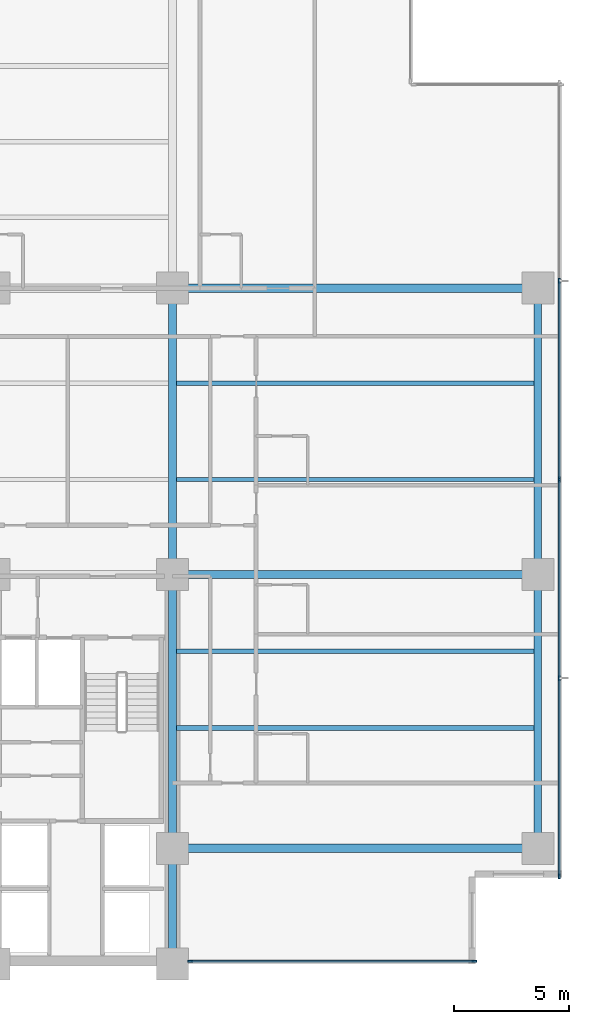
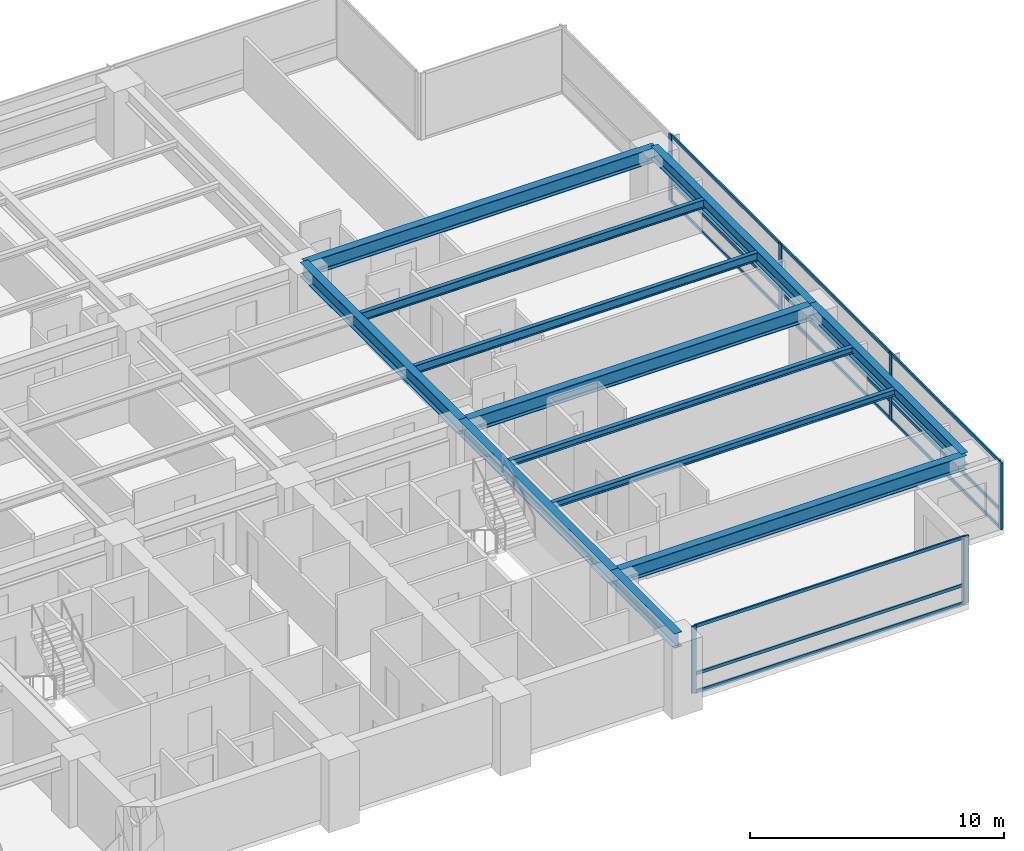
# One storey, part 3 of 17: 18 members, 12 beams, 2 elements without a shape of their own.
"""IFC4 building model written with IfcOpenShell, lengths in metres."""

import ifcopenshell
import ifcopenshell.guid

model = None  # the IFC model being written
_history = None  # IfcOwnerHistory: only IFC2X3 demands one
_inside = {}  # id of a spatial element -> (the spatial element, [elements in it])
_under = {}  # id of a project, library or spatial element -> (it, [spatial elements below it])
_declared = {}  # id of a project -> (the project, [libraries it declares])
_typed = {}  # id of a type object -> (the type object, [elements of that type])
_made_of = {}  # id of a material, layer set ... -> (it, [elements and type objects made of it])


def new_model(schema):
    """Start an empty IFC model of exactly this schema.

    Asked for "IFC4X3", IfcOpenShell would pick the latest addendum, in which some entities
    have other attributes; the version numbers below select the first issue.
    IFC2X3 requires an IfcOwnerHistory on every rooted entity: one is made here for all.
    """
    global model, _history
    if schema == "IFC4X3":
        model = ifcopenshell.file(schema_version=(4, 3, 0, 0))
    else:
        model = ifcopenshell.file(schema=schema)
    _inside.clear()
    _under.clear()
    _declared.clear()
    _typed.clear()
    _made_of.clear()
    _history = None
    if model.schema == "IFC2X3":
        org = make("IfcOrganization", Name="unknown")
        user = make(
            "IfcPersonAndOrganization",
            ThePerson=make("IfcPerson", FamilyName="unknown"),
            TheOrganization=org,
        )
        app = make(
            "IfcApplication",
            ApplicationDeveloper=org,
            Version="unknown",
            ApplicationFullName="unknown",
            ApplicationIdentifier="unknown",
        )
        _history = make(
            "IfcOwnerHistory",
            OwningUser=user,
            OwningApplication=app,
            ChangeAction="ADDED",
            CreationDate=0,
        )
    return model


def make(cls, **values):
    """One entity of the class cls with the attributes given. An attribute that is None is left unset."""
    return model.create_entity(
        cls, **{name: value for name, value in values.items() if value is not None}
    )


def rooted(cls, **values):
    """An entity with a GlobalId (a new one), such as an element, a storey or a relation."""
    return make(cls, GlobalId=ifcopenshell.guid.new(), OwnerHistory=_history, **values)


def si_unit(unit_type, name, prefix=None):
    """IfcSIUnit, for example si_unit("LENGTHUNIT", "METRE", prefix="MILLI")."""
    return make("IfcSIUnit", UnitType=unit_type, Prefix=prefix, Name=name)


def assignment(units):
    """IfcUnitAssignment: the units of a project."""
    return None if units is None else make("IfcUnitAssignment", Units=units)


def point(xyz):
    """IfcCartesianPoint."""
    return None if xyz is None else make("IfcCartesianPoint", Coordinates=xyz)


def direction(xyz):
    """IfcDirection."""
    return None if xyz is None else make("IfcDirection", DirectionRatios=xyz)


def frame(location, z_axis=None, x_axis=None):
    """IfcAxis2Placement3D, a coordinate frame: its origin and axes. An axis left out is left unset."""
    return make(
        "IfcAxis2Placement3D",
        Location=point(location),
        Axis=direction(z_axis),
        RefDirection=direction(x_axis),
    )


def frame_2d(location, x_axis=None):
    """IfcAxis2Placement2D, a coordinate frame in the plane: its origin and x axis."""
    return make(
        "IfcAxis2Placement2D", Location=point(location), RefDirection=direction(x_axis)
    )


def origin():
    """The frame at (0, 0, 0) with its axes left unset."""
    return frame((0.0, 0.0, 0.0))


def origin_2d():
    """The frame at (0, 0) in the plane with its x axis left unset."""
    return frame_2d((0.0, 0.0))


def place(relative_to, where):
    """IfcLocalPlacement: puts the frame where relative to a parent placement (None: the world)."""
    return make(
        "IfcLocalPlacement", PlacementRelTo=relative_to, RelativePlacement=where
    )


def context(
    kind, dimensions, precision=None, world=None, true_north=None, identifier=None
):
    """IfcGeometricRepresentationContext, for example the 3D "Model" context."""
    return make(
        "IfcGeometricRepresentationContext",
        ContextIdentifier=identifier,
        ContextType=kind,
        CoordinateSpaceDimension=dimensions,
        Precision=precision,
        WorldCoordinateSystem=world,
        TrueNorth=true_north,
    )


def subcontext(parent, identifier, kind, view, scale=None):
    """IfcGeometricRepresentationSubContext, for example "Body" below "Model"."""
    return make(
        "IfcGeometricRepresentationSubContext",
        ContextIdentifier=identifier,
        ContextType=kind,
        ParentContext=parent,
        TargetScale=scale,
        TargetView=view,
    )


def project(units=None, contexts=None):
    """IfcProject with its units and contexts."""
    return rooted(
        "IfcProject",
        Name="project",
        RepresentationContexts=contexts,
        UnitsInContext=assignment(units),
    )


def spatial(cls, under=None, at=None, **own):
    """A site, building, storey or space (cls), placed at a placement, below another one or the project."""
    s = rooted(cls, ObjectPlacement=at, **own)
    if under is not None:
        _under.setdefault(under.id(), (under, []))[1].append(s)
    return s


def profile(cls, at=None, kind="AREA", **sizes):
    """A parametric profile (cls). Its sizes go by their IFC names, for example OverallWidth=200.0."""
    return make(cls, ProfileType=kind, Position=at, **sizes)


def rectangle(**sizes):
    """IfcRectangleProfileDef."""
    return profile("IfcRectangleProfileDef", **sizes)


def i_section(**sizes):
    """IfcIShapeProfileDef."""
    return profile("IfcIShapeProfileDef", **sizes)


def extrude(swept, where, along, depth):
    """IfcExtrudedAreaSolid: the profile swept, set in the frame where, extruded along a direction by depth."""
    return make(
        "IfcExtrudedAreaSolid",
        SweptArea=swept,
        Position=where,
        ExtrudedDirection=direction(along),
        Depth=depth,
    )


def shape(context_of_items, identifier, shape_type, items):
    """IfcShapeRepresentation: the items that make up one representation, for example the "Body"."""
    return make(
        "IfcShapeRepresentation",
        ContextOfItems=context_of_items,
        RepresentationIdentifier=identifier,
        RepresentationType=shape_type,
        Items=items,
    )


def material(Name=None, Category=None):
    """IfcMaterial."""
    return make("IfcMaterial", Name=Name, Category=Category)


def layer(
    of_material, thickness, ventilated=None, Name=None, Category=None, Priority=None
):
    """IfcMaterialLayer: one layer of a wall or slab, of a material (None: an air gap)."""
    return make(
        "IfcMaterialLayer",
        Material=of_material,
        LayerThickness=thickness,
        IsVentilated=ventilated,
        Name=Name,
        Category=Category,
        Priority=Priority,
    )


def layer_set(layers, Name=None):
    """IfcMaterialLayerSet."""
    return make("IfcMaterialLayerSet", MaterialLayers=layers, LayerSetName=Name)


def material_profile(
    of_material, cross_section, Name=None, Category=None, Priority=None
):
    """IfcMaterialProfile: a cross section and its material."""
    return make(
        "IfcMaterialProfile",
        Name=Name,
        Material=of_material,
        Profile=cross_section,
        Priority=Priority,
        Category=Category,
    )


def profile_set(profiles, Name=None, composite=None):
    """IfcMaterialProfileSet."""
    return make(
        "IfcMaterialProfileSet",
        Name=Name,
        MaterialProfiles=profiles,
        CompositeProfile=composite,
    )


def made_of(thing, what):
    """Note that an element or type object is made of a material, layer set ...; save() writes the relation."""
    if what is not None:
        _made_of.setdefault(what.id(), (what, []))[1].append(thing)
    return thing


def type_object(cls, material=None, **own):
    """A type object (cls), such as IfcWallType, which elements share."""
    return made_of(rooted(cls, **own), material)


def element(
    cls,
    number,
    at=None,
    inside=None,
    cuts=None,
    type_object=None,
    material=None,
    context=None,
    identifier="Body",
    shape_type=None,
    held_by="IfcProductDefinitionShape",
    body=None,
    shapes=None,
    **own,
):
    """One element of the class cls, such as IfcWall. Its Tag is "e" and its number.

    at: its placement. inside: the storey or other place that contains it. cuts: it is an
    opening in that element (IfcRelVoidsElement). A single representation is given by context,
    identifier, shape_type and body (its items); several are given by shapes. held_by: the class
    of the entity that holds the representations. save() writes the other relations.
    """
    e = rooted(cls, Tag="e%d" % number, ObjectPlacement=at, **own)
    if body is not None:
        shapes = [shape(context, identifier, shape_type, body)]
    if shapes is not None:
        e.Representation = make(held_by, Representations=shapes)
    if inside is not None:
        _inside.setdefault(inside.id(), (inside, []))[1].append(e)
    if cuts is not None:
        rooted(
            "IfcRelVoidsElement", RelatingBuildingElement=cuts, RelatedOpeningElement=e
        )
    if type_object is not None:
        _typed.setdefault(type_object.id(), (type_object, []))[1].append(e)
    return made_of(e, material)


def aggregate(whole, parts):
    """IfcRelAggregates: a whole, such as a stair, and the parts it consists of."""
    return rooted("IfcRelAggregates", RelatingObject=whole, RelatedObjects=parts)


def save(model, path):
    """Write the relations noted so far, then the file.

    IfcRelAggregates (storeys below a building ...), IfcRelContainedInSpatialStructure (elements
    in a storey), IfcRelDefinesByType, IfcRelAssociatesMaterial and IfcRelDeclares: one each for
    every whole, place, type object, material and project.
    """
    for whole, parts in _under.values():
        aggregate(whole, parts)
    for where, things in _inside.values():
        rooted(
            "IfcRelContainedInSpatialStructure",
            RelatedElements=things,
            RelatingStructure=where,
        )
    for kind, things in _typed.values():
        rooted("IfcRelDefinesByType", RelatedObjects=things, RelatingType=kind)
    for what, things in _made_of.values():
        rooted("IfcRelAssociatesMaterial", RelatedObjects=things, RelatingMaterial=what)
    for by, libraries in _declared.values():
        rooted("IfcRelDeclares", RelatingContext=by, RelatedDefinitions=libraries)
    model.write(path)


model = new_model("IFC4")

# Units and contexts
model_context = context("Model", 3, precision=1e-05, world=origin(), true_north=direction((0.0, 1.0)))
body_context = subcontext(model_context, "Body", "Model", "MODEL_VIEW")
ifc_project = project(units=[si_unit("LENGTHUNIT", "METRE"), si_unit("AREAUNIT", "SQUARE_METRE"), si_unit("VOLUMEUNIT", "CUBIC_METRE"), si_unit("PLANEANGLEUNIT", "RADIAN"), si_unit("MASSUNIT", "GRAM", prefix="KILO")], contexts=[model_context])

# Site, building, storey
site_placement = place(None, origin())
site = spatial("IfcSite", under=ifc_project, at=site_placement, CompositionType="ELEMENT")
building_placement = place(site_placement, origin())
building = spatial("IfcBuilding", under=site, at=building_placement, Name="Qalmaran Belvedere Hotel", CompositionType="ELEMENT")
storey_placement = place(building_placement, frame((0.0, 0.0, 47.39990234375)))
storey = spatial("IfcBuildingStorey", under=building, at=storey_placement, Name="L11", CompositionType="ELEMENT", Elevation=47.39990234375)

# Beams
ifc_material_1 = material(Name="Steel S355JR", Category="steel")
ifc_material_profile_1 = material_profile(ifc_material_1, i_section(OverallWidth=0.202880859375, OverallDepth=0.302978515625, WebThickness=0.007568359375, FlangeThickness=0.01318359375, FilletRadius=0.012939453125, at=origin_2d()), Name="W310X60")
ifc_profile_set_1 = profile_set([ifc_material_profile_1], Name="Steel S355JR")
beam_type_1 = type_object("IfcBeamType", Name="BM-JST-W310X60", PredefinedType="JOIST", material=ifc_profile_set_1)
for number, where, z_axis, x_axis, name in (
    (1, (44.9755859375, 13.800048828125, 3.068603515625), (1.0, 0.0, 0.0), (0.0, 1.0, 0.0), "L11 East Wing Joist 039"),
    (2, (44.9755859375, 17.14990234375, 3.068603515625), (1.0, 0.0, 0.0), (0.0, 1.0, 0.0), "L11 East Wing Joist 041"),
):
    element("IfcBeam", number, at=place(storey_placement, frame(where, z_axis=z_axis, x_axis=x_axis)), inside=storey, type_object=beam_type_1, Name=name, PredefinedType="JOIST", context=body_context, shape_type="SweptSolid", body=[
        extrude(i_section(OverallWidth=0.202880859375, OverallDepth=0.302978515625, WebThickness=0.007568359375, FlangeThickness=0.01318359375, FilletRadius=0.012939453125, at=origin_2d()), origin(), (0.0, 0.0, 1.0), 15.61279296875),
    ])
ifc_material_profile_2 = material_profile(ifc_material_1, i_section(OverallWidth=0.180908203125, OverallDepth=0.4169921875, WebThickness=0.010986328125, FlangeThickness=0.018310546875, FilletRadius=0.014892578125, at=origin_2d()), Name="W410X85")
ifc_profile_set_2 = profile_set([ifc_material_profile_2], Name="Steel S355JR")
beam_type_2 = type_object("IfcBeamType", Name="BM-SB1-W410X85", PredefinedType="BEAM", material=ifc_profile_set_2)
for number, where, z_axis, x_axis, name in (
    (3, (44.9755859375, 24.64990234375, 3.01171875), (1.0, 0.0, 0.0), (0.0, 1.0, 0.0), "L11 East Secondary Beam 032"),
    (4, (44.9755859375, 28.85009765625, 3.01171875), (1.0, 0.0, 0.0), (0.0, 1.0, 0.0), "L11 East Secondary Beam 037"),
):
    element("IfcBeam", number, at=place(storey_placement, frame(where, z_axis=z_axis, x_axis=x_axis)), inside=storey, type_object=beam_type_2, Name=name, PredefinedType="BEAM", context=body_context, shape_type="SweptSolid", body=[
        extrude(i_section(OverallWidth=0.180908203125, OverallDepth=0.4169921875, WebThickness=0.010986328125, FlangeThickness=0.018310546875, FilletRadius=0.014892578125, at=origin_2d()), origin(), (0.0, 0.0, 1.0), 15.61279296875),
    ])
ifc_material_profile_3 = material_profile(ifc_material_1, i_section(OverallWidth=0.326904296875, OverallDepth=0.6220703125, WebThickness=0.015380859375, FlangeThickness=0.0244140625, FilletRadius=0.02001953125, at=origin_2d()), Name="W610X195")
ifc_profile_set_3 = profile_set([ifc_material_profile_3], Name="Steel S355JR")
beam_type_3 = type_object("IfcBeamType", Name="BM-SP1-W610X195", PredefinedType="SPANDREL", material=ifc_profile_set_3)
beam_1_placement = place(storey_placement, frame((60.75, 8.550048828125, 2.9091796875), z_axis=(0.0, 1.0, 0.0), x_axis=(-1.0, 0.0, 0.0)))
element("IfcBeam", 5, at=beam_1_placement, inside=storey, type_object=beam_type_3, Name="L11 Perimeter Spandrel 03", PredefinedType="SPANDREL", context=body_context, shape_type="SweptSolid", body=[
    extrude(i_section(OverallWidth=0.326904296875, OverallDepth=0.6220703125, WebThickness=0.015380859375, FlangeThickness=0.0244140625, FilletRadius=0.02001953125, at=origin_2d()), origin(), (0.0, 0.0, 1.0), 11.949951171875),
])
beam_2_placement = place(storey_placement, frame((60.75, 20.5, 2.9091796875), z_axis=(0.0, 1.0, 0.0), x_axis=(-1.0, 0.0, 0.0)))
element("IfcBeam", 6, at=beam_2_placement, inside=storey, type_object=beam_type_3, Name="L11 Perimeter Spandrel 04", PredefinedType="SPANDREL", context=body_context, shape_type="SweptSolid", body=[
    extrude(i_section(OverallWidth=0.326904296875, OverallDepth=0.6220703125, WebThickness=0.015380859375, FlangeThickness=0.0244140625, FilletRadius=0.02001953125, at=origin_2d()), origin(), (0.0, 0.0, 1.0), 12.5),
])
ifc_material_profile_4 = material_profile(ifc_material_1, i_section(OverallWidth=0.35498046875, OverallDepth=0.695068359375, WebThickness=0.015380859375, FlangeThickness=0.02490234375, FilletRadius=0.02197265625, at=origin_2d()), Name="W690X217")
ifc_profile_set_4 = profile_set([ifc_material_profile_4], Name="Steel S355JR")
beam_type_4 = type_object("IfcBeamType", Name="BM-Z1-W690X217", PredefinedType="USERDEFINED", material=ifc_profile_set_4)
beam_3_placement = place(storey_placement, frame((44.800048828125, 20.5, 2.87255859375), z_axis=(0.0, 1.0, 0.0), x_axis=(-1.0, 0.0, 0.0)))
element("IfcBeam", 7, at=beam_3_placement, inside=storey, type_object=beam_type_4, Name="L11 Mid-Plate N-S Girder 20", ObjectType="GIRDER", PredefinedType="USERDEFINED", context=body_context, shape_type="SweptSolid", body=[
    extrude(i_section(OverallWidth=0.35498046875, OverallDepth=0.695068359375, WebThickness=0.015380859375, FlangeThickness=0.02490234375, FilletRadius=0.02197265625, at=origin_2d()), origin(), (0.0, 0.0, 1.0), 12.5),
])
beam_4_placement = place(storey_placement, frame((44.800048828125, 3.5, 2.87255859375), z_axis=(0.0, 1.0, 0.0), x_axis=(-1.0, 0.0, 0.0)))
element("IfcBeam", 8, at=beam_4_placement, inside=storey, type_object=beam_type_4, Name="L11 East Core Edge Girder A", ObjectType="GIRDER", PredefinedType="USERDEFINED", context=body_context, shape_type="SweptSolid", body=[
    extrude(i_section(OverallWidth=0.35498046875, OverallDepth=0.695068359375, WebThickness=0.015380859375, FlangeThickness=0.02490234375, FilletRadius=0.02197265625, at=origin_2d()), origin(), (0.0, 0.0, 1.0), 5.050048828125),
])
beam_5_placement = place(storey_placement, frame((44.800048828125, 8.550048828125, 2.87255859375), z_axis=(0.0, 1.0, 0.0), x_axis=(-1.0, 0.0, 0.0)))
element("IfcBeam", 9, at=beam_5_placement, inside=storey, type_object=beam_type_4, Name="L11 East Core Edge Girder B", ObjectType="GIRDER", PredefinedType="USERDEFINED", context=body_context, shape_type="SweptSolid", body=[
    extrude(i_section(OverallWidth=0.35498046875, OverallDepth=0.695068359375, WebThickness=0.015380859375, FlangeThickness=0.02490234375, FilletRadius=0.02197265625, at=origin_2d()), origin(), (0.0, 0.0, 1.0), 11.949951171875),
])
for number, where, z_axis, x_axis, name in (
    (10, (44.800048828125, 8.550048828125, 2.87255859375), (1.0, 0.0, 0.0), (0.0, 1.0, 0.0), "L11 East Wing Girder 25"),
    (11, (44.800048828125, 20.5, 2.87255859375), (1.0, 0.0, 0.0), (0.0, 1.0, 0.0), "L11 East Wing Girder 26"),
    (12, (44.800048828125, 33.0, 2.87255859375), (1.0, 0.0, 0.0), (0.0, 1.0, 0.0), "L11 East Wing Girder 27"),
):
    element("IfcBeam", number, at=place(storey_placement, frame(where, z_axis=z_axis, x_axis=x_axis)), inside=storey, type_object=beam_type_4, Name=name, ObjectType="GIRDER", PredefinedType="USERDEFINED", context=body_context, shape_type="SweptSolid", body=[
        extrude(i_section(OverallWidth=0.35498046875, OverallDepth=0.695068359375, WebThickness=0.015380859375, FlangeThickness=0.02490234375, FilletRadius=0.02197265625, at=origin_2d()), origin(), (0.0, 0.0, 1.0), 15.949951171875),
    ])

# Curtain wall, members
ifc_material_2 = material(Name="Anodised Bronze Aluminium", Category="aluminium")
ifc_layer = layer(ifc_material_2, 0.2099609375, Name="Anodised Bronze Aluminium")
ifc_layer_set = layer_set([ifc_layer], Name="Anodised Bronze Aluminium")
curtain_wall_type = type_object("IfcCurtainWallType", Name="CW2-TOWER-LOWER", PredefinedType="NOTDEFINED", material=ifc_layer_set)
curtain_wall_1_placement = place(storey_placement, origin())
curtain_wall_1 = element("IfcCurtainWall", 13, at=curtain_wall_1_placement, inside=storey, type_object=curtain_wall_type, Name="L11 Curtain Wall CW2", PredefinedType="NOTDEFINED")
ifc_material_profile_5 = material_profile(ifc_material_2, rectangle(XDim=0.074951171875, YDim=0.219970703125, at=origin_2d()), Name="CWM75X220")
ifc_profile_set_5 = profile_set([ifc_material_profile_5], Name="Anodised Bronze Aluminium")
member_type_1 = type_object("IfcMemberType", Name="CWM-75X220", PredefinedType="MULLION", material=ifc_profile_set_5)
member_1_placement = place(storey_placement, frame((45.577392578125, 3.6201171875, 0.0), z_axis=(0.0, 0.0, 1.0), x_axis=(0.0, 1.0, 0.0)))
member_1 = element("IfcMember", 14, at=member_1_placement, type_object=member_type_1, Name="CW2 mullion 1", PredefinedType="MULLION", context=body_context, shape_type="SweptSolid", body=[
    extrude(rectangle(XDim=0.074951171875, YDim=0.219970703125, at=origin_2d()), origin(), (0.0, 0.0, 1.0), 3.22021484375),
])
member_2_placement = place(storey_placement, frame((57.96240234375, 3.6201171875, 0.0), z_axis=(0.0, 0.0, 1.0), x_axis=(0.0, 1.0, 0.0)))
member_2 = element("IfcMember", 15, at=member_2_placement, type_object=member_type_1, Name="CW2 mullion 2", PredefinedType="MULLION", context=body_context, shape_type="SweptSolid", body=[
    extrude(rectangle(XDim=0.074951171875, YDim=0.219970703125, at=origin_2d()), origin(), (0.0, 0.0, 1.0), 3.22021484375),
])

curtain_wall_2_placement = place(storey_placement, origin())
curtain_wall_2 = element("IfcCurtainWall", 16, at=curtain_wall_2_placement, inside=storey, type_object=curtain_wall_type, Name="L11 Curtain Wall CW2", PredefinedType="NOTDEFINED")
member_3_placement = place(storey_placement, frame((61.679931640625, 7.33740234375, 0.0), z_axis=(0.0, 0.0, 1.0), x_axis=(-1.0, 0.0, 0.0)))
member_3 = element("IfcMember", 17, at=member_3_placement, type_object=member_type_1, Name="CW2 mullion 1", PredefinedType="MULLION", context=body_context, shape_type="SweptSolid", body=[
    extrude(rectangle(XDim=0.074951171875, YDim=0.219970703125, at=origin_2d()), origin(), (0.0, 0.0, 1.0), 3.22021484375),
])
member_4_placement = place(storey_placement, frame((61.679931640625, 15.97509765625, 0.0), z_axis=(0.0, 0.0, 1.0), x_axis=(-1.0, 0.0, 0.0)))
member_4 = element("IfcMember", 18, at=member_4_placement, type_object=member_type_1, Name="CW2 mullion 2", PredefinedType="MULLION", context=body_context, shape_type="SweptSolid", body=[
    extrude(rectangle(XDim=0.074951171875, YDim=0.219970703125, at=origin_2d()), origin(), (0.0, 0.0, 1.0), 3.22021484375),
])
member_5_placement = place(storey_placement, frame((61.679931640625, 24.64990234375, 0.0), z_axis=(0.0, 0.0, 1.0), x_axis=(-1.0, 0.0, 0.0)))
member_5 = element("IfcMember", 19, at=member_5_placement, type_object=member_type_1, Name="CW2 mullion 3", PredefinedType="MULLION", context=body_context, shape_type="SweptSolid", body=[
    extrude(rectangle(XDim=0.074951171875, YDim=0.219970703125, at=origin_2d()), origin(), (0.0, 0.0, 1.0), 3.22021484375),
])
member_6_placement = place(storey_placement, frame((61.679931640625, 33.324951171875, 0.0), z_axis=(0.0, 0.0, 1.0), x_axis=(-1.0, 0.0, 0.0)))
member_6 = element("IfcMember", 20, at=member_6_placement, type_object=member_type_1, Name="CW2 mullion 4", PredefinedType="MULLION", context=body_context, shape_type="SweptSolid", body=[
    extrude(rectangle(XDim=0.074951171875, YDim=0.219970703125, at=origin_2d()), origin(), (0.0, 0.0, 1.0), 3.22021484375),
])

# Member
ifc_material_profile_6 = material_profile(ifc_material_2, rectangle(XDim=0.070068359375, YDim=0.14990234375, at=origin_2d()), Name="CWT70X150")
ifc_profile_set_6 = profile_set([ifc_material_profile_6], Name="Anodised Bronze Aluminium")
member_type_2 = type_object("IfcMemberType", Name="CWT-70X150", PredefinedType="USERDEFINED", material=ifc_profile_set_6)
member_7_placement = place(storey_placement, frame((45.614990234375, 3.6201171875, 0.03515625), z_axis=(1.0, 0.0, 0.0), x_axis=(0.0, 1.0, 0.0)))
member_7 = element("IfcMember", 21, at=member_7_placement, type_object=member_type_2, Name="CW2 transom 1.1", ObjectType="TRANSOM", PredefinedType="USERDEFINED", context=body_context, shape_type="SweptSolid", body=[
    extrude(rectangle(XDim=0.070068359375, YDim=0.14990234375, at=origin_2d()), origin(), (0.0, 0.0, 1.0), 12.31005859375),
])

member_8_placement = place(storey_placement, frame((45.614990234375, 3.6201171875, 0.901611328125), z_axis=(1.0, 0.0, 0.0), x_axis=(0.0, 1.0, 0.0)))
member_8 = element("IfcMember", 22, at=member_8_placement, type_object=member_type_2, Name="CW2 transom 1.2", ObjectType="TRANSOM", PredefinedType="USERDEFINED", context=body_context, shape_type="SweptSolid", body=[
    extrude(rectangle(XDim=0.070068359375, YDim=0.14990234375, at=origin_2d()), origin(), (0.0, 0.0, 1.0), 12.31005859375),
])

member_9_placement = place(storey_placement, frame((45.614990234375, 3.6201171875, 3.18505859375), z_axis=(1.0, 0.0, 0.0), x_axis=(0.0, 1.0, 0.0)))
member_9 = element("IfcMember", 23, at=member_9_placement, type_object=member_type_2, Name="CW2 transom 1.3", ObjectType="TRANSOM", PredefinedType="USERDEFINED", context=body_context, shape_type="SweptSolid", body=[
    extrude(rectangle(XDim=0.070068359375, YDim=0.14990234375, at=origin_2d()), origin(), (0.0, 0.0, 1.0), 12.31005859375),
])

aggregate(curtain_wall_1, [member_1, member_2, member_7, member_8, member_9])

member_10_placement = place(storey_placement, frame((61.679931640625, 7.375, 0.03515625), z_axis=(0.0, 1.0, 0.0), x_axis=(-1.0, 0.0, 0.0)))
member_10 = element("IfcMember", 24, at=member_10_placement, type_object=member_type_2, Name="CW2 transom 1.1", ObjectType="TRANSOM", PredefinedType="USERDEFINED", context=body_context, shape_type="SweptSolid", body=[
    extrude(rectangle(XDim=0.070068359375, YDim=0.14990234375, at=origin_2d()), origin(), (0.0, 0.0, 1.0), 8.5625),
])

member_11_placement = place(storey_placement, frame((61.679931640625, 7.375, 0.901611328125), z_axis=(0.0, 1.0, 0.0), x_axis=(-1.0, 0.0, 0.0)))
member_11 = element("IfcMember", 25, at=member_11_placement, type_object=member_type_2, Name="CW2 transom 1.2", ObjectType="TRANSOM", PredefinedType="USERDEFINED", context=body_context, shape_type="SweptSolid", body=[
    extrude(rectangle(XDim=0.070068359375, YDim=0.14990234375, at=origin_2d()), origin(), (0.0, 0.0, 1.0), 8.5625),
])

member_12_placement = place(storey_placement, frame((61.679931640625, 7.375, 3.18505859375), z_axis=(0.0, 1.0, 0.0), x_axis=(-1.0, 0.0, 0.0)))
member_12 = element("IfcMember", 26, at=member_12_placement, type_object=member_type_2, Name="CW2 transom 1.3", ObjectType="TRANSOM", PredefinedType="USERDEFINED", context=body_context, shape_type="SweptSolid", body=[
    extrude(rectangle(XDim=0.070068359375, YDim=0.14990234375, at=origin_2d()), origin(), (0.0, 0.0, 1.0), 8.5625),
])

member_13_placement = place(storey_placement, frame((61.679931640625, 16.012451171875, 0.03515625), z_axis=(0.0, 1.0, 0.0), x_axis=(-1.0, 0.0, 0.0)))
member_13 = element("IfcMember", 27, at=member_13_placement, type_object=member_type_2, Name="CW2 transom 2.1", ObjectType="TRANSOM", PredefinedType="USERDEFINED", context=body_context, shape_type="SweptSolid", body=[
    extrude(rectangle(XDim=0.070068359375, YDim=0.14990234375, at=origin_2d()), origin(), (0.0, 0.0, 1.0), 8.60009765625),
])

member_14_placement = place(storey_placement, frame((61.679931640625, 16.012451171875, 0.901611328125), z_axis=(0.0, 1.0, 0.0), x_axis=(-1.0, 0.0, 0.0)))
member_14 = element("IfcMember", 28, at=member_14_placement, type_object=member_type_2, Name="CW2 transom 2.2", ObjectType="TRANSOM", PredefinedType="USERDEFINED", context=body_context, shape_type="SweptSolid", body=[
    extrude(rectangle(XDim=0.070068359375, YDim=0.14990234375, at=origin_2d()), origin(), (0.0, 0.0, 1.0), 8.60009765625),
])

member_15_placement = place(storey_placement, frame((61.679931640625, 16.012451171875, 3.18505859375), z_axis=(0.0, 1.0, 0.0), x_axis=(-1.0, 0.0, 0.0)))
member_15 = element("IfcMember", 29, at=member_15_placement, type_object=member_type_2, Name="CW2 transom 2.3", ObjectType="TRANSOM", PredefinedType="USERDEFINED", context=body_context, shape_type="SweptSolid", body=[
    extrude(rectangle(XDim=0.070068359375, YDim=0.14990234375, at=origin_2d()), origin(), (0.0, 0.0, 1.0), 8.60009765625),
])

member_16_placement = place(storey_placement, frame((61.679931640625, 24.6875, 0.03515625), z_axis=(0.0, 1.0, 0.0), x_axis=(-1.0, 0.0, 0.0)))
member_16 = element("IfcMember", 30, at=member_16_placement, type_object=member_type_2, Name="CW2 transom 3.1", ObjectType="TRANSOM", PredefinedType="USERDEFINED", context=body_context, shape_type="SweptSolid", body=[
    extrude(rectangle(XDim=0.070068359375, YDim=0.14990234375, at=origin_2d()), origin(), (0.0, 0.0, 1.0), 8.60009765625),
])

member_17_placement = place(storey_placement, frame((61.679931640625, 24.6875, 0.901611328125), z_axis=(0.0, 1.0, 0.0), x_axis=(-1.0, 0.0, 0.0)))
member_17 = element("IfcMember", 31, at=member_17_placement, type_object=member_type_2, Name="CW2 transom 3.2", ObjectType="TRANSOM", PredefinedType="USERDEFINED", context=body_context, shape_type="SweptSolid", body=[
    extrude(rectangle(XDim=0.070068359375, YDim=0.14990234375, at=origin_2d()), origin(), (0.0, 0.0, 1.0), 8.60009765625),
])

member_18_placement = place(storey_placement, frame((61.679931640625, 24.6875, 3.18505859375), z_axis=(0.0, 1.0, 0.0), x_axis=(-1.0, 0.0, 0.0)))
member_18 = element("IfcMember", 32, at=member_18_placement, type_object=member_type_2, Name="CW2 transom 3.3", ObjectType="TRANSOM", PredefinedType="USERDEFINED", context=body_context, shape_type="SweptSolid", body=[
    extrude(rectangle(XDim=0.070068359375, YDim=0.14990234375, at=origin_2d()), origin(), (0.0, 0.0, 1.0), 8.60009765625),
])

aggregate(curtain_wall_2, [member_3, member_4, member_5, member_6, member_10, member_11, member_12, member_13, member_14, member_15, member_16, member_17, member_18])

save(model, "model.ifc")
